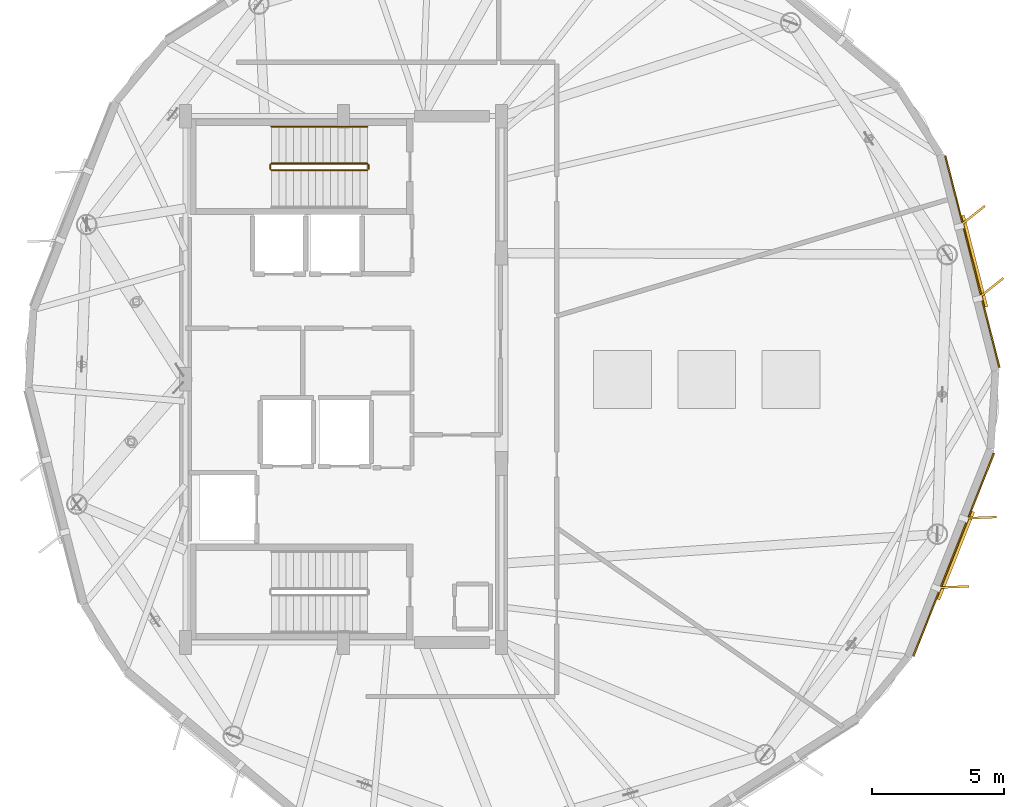
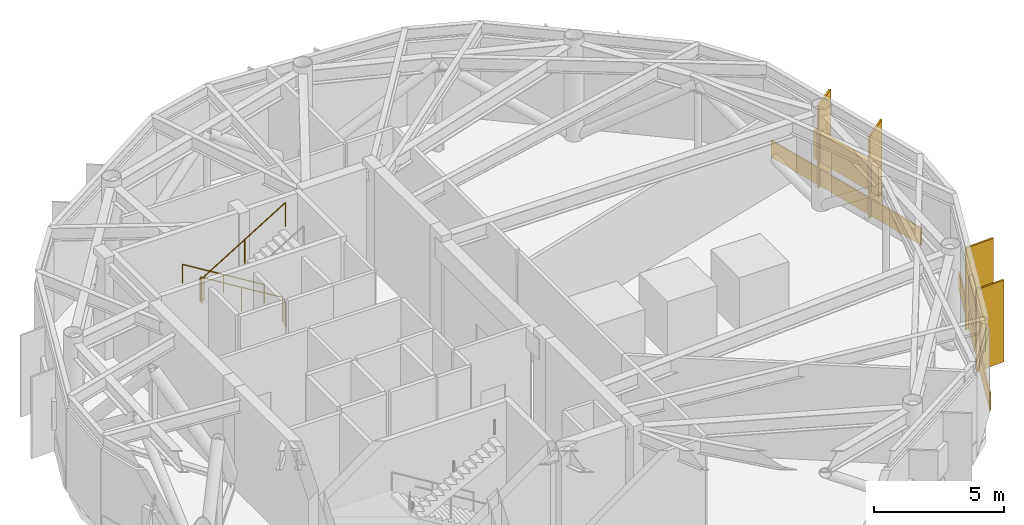
# One storey, part 13 of 14: 6 shading devices, 5 railings, 2 coverings.
"""IFC4 building model written with IfcOpenShell, lengths in metres."""

from ifc_helpers import new_model, si_unit, direction, frame, origin, origin_2d, place, context, subcontext, project, spatial, rectangle, circle, extrude, material, layer, layer_set, type_object, element, save


model = new_model("IFC4")

# Units and contexts
model_context = context("Model", 3, precision=1e-05, world=origin(), true_north=direction((0.0, 1.0)))
body_context = subcontext(model_context, "Body", "Model", "MODEL_VIEW")
ifc_project = project(units=[si_unit("LENGTHUNIT", "METRE"), si_unit("AREAUNIT", "SQUARE_METRE"), si_unit("VOLUMEUNIT", "CUBIC_METRE"), si_unit("PLANEANGLEUNIT", "RADIAN"), si_unit("MASSUNIT", "GRAM", prefix="KILO")], contexts=[model_context])

# Site, building, storey
site_placement = place(None, origin())
site = spatial("IfcSite", under=ifc_project, at=site_placement, CompositionType="ELEMENT")
building_placement = place(site_placement, origin())
building = spatial("IfcBuilding", under=site, at=building_placement, Name="Soratama Intermodal Tower", CompositionType="ELEMENT")
storey_placement = place(building_placement, frame((0.0, 0.0, 283.75)))
storey = spatial("IfcBuildingStorey", under=building, at=storey_placement, Name="L72", CompositionType="ELEMENT", Elevation=283.75)

# Coverings
ifc_material_1 = material(Name="Honed Andean limestone cladding", Category="masonry")
ifc_layer_1 = layer(ifc_material_1, 0.06005859375)
ifc_layer_set_1 = layer_set([ifc_layer_1], Name="Honed Andean limestone cladding")
covering_type = type_object("IfcCoveringType", Name="CV-STONE-CLAD", PredefinedType="CLADDING", material=ifc_layer_set_1)
for number, where, z_axis, x_axis, name in (
    (1, (61.780029296875, 18.3359375, 0.0498046875), (0.0, 0.0, 1.0), (0.369098010319, 0.929390477022, 0.0), "L72 Stone Cladding F08"),
    (2, (62.4921875, 29.4716796875, 0.0498046875), (0.0, 0.0, 1.0), (-0.247675453076, 0.968843057437, 0.0), "L72 Stone Cladding F09"),
):
    element("IfcCovering", number, at=place(storey_placement, frame(where, z_axis=z_axis, x_axis=x_axis)), inside=storey, type_object=covering_type, Name=name, PredefinedType="CLADDING", context=body_context, shape_type="SweptSolid", body=[
        extrude(rectangle(XDim=8.2998046875, YDim=0.06005859375, at=origin_2d()), origin(), (0.0, 0.0, 1.0), 0.800048828125),
    ])

# Railings
ifc_material_2 = material(Name="Painted steel stair guardrail", Category="steel")
railing_type_1 = type_object("IfcRailingType", Name="RL-STAIR-GUARD", PredefinedType="GUARDRAIL", material=ifc_material_2)
railing_1_placement = place(storey_placement, frame((39.5, 33.199951171875, 0.17138671875)))
element("IfcRailing", 3, at=railing_1_placement, inside=storey, type_object=railing_type_1, Name="L72 ST-2 stair guard 1", PredefinedType="GUARDRAIL", context=body_context, shape_type="SweptSolid", body=[
    extrude(circle(Radius=0.02392578125, at=origin_2d()), frame((0.0, 0.0, 1.1259765625), z_axis=(-0.852850264322, 0.0, 0.5221555579), x_axis=(0.0, -1.0, 0.0)), (0.0, 0.0, 1.0), 4.267822265625),
    extrude(circle(Radius=0.02099609375, at=origin_2d()), origin(), (0.0, 0.0, 1.0), 1.101806640625),
    extrude(circle(Radius=0.02099609375, at=origin_2d()), frame((-1.81982421875, 0.0, 1.1142578125)), (0.0, 0.0, 1.0), 1.101806640625),
    extrude(circle(Radius=0.02099609375, at=origin_2d()), frame((-3.639892578125, 0.0, 2.228515625)), (0.0, 0.0, 1.0), 1.101806640625),
])
railing_2_placement = place(storey_placement, frame((35.81005859375, 33.14990234375, 2.39990234375)))
element("IfcRailing", 4, at=railing_2_placement, inside=storey, type_object=railing_type_1, Name="L72 ST-2 stair guard 2", PredefinedType="GUARDRAIL", context=body_context, shape_type="SweptSolid", body=[
    extrude(circle(Radius=0.02392578125, at=origin_2d()), frame((0.0, 0.0, 1.1259765625), z_axis=(0.0, -1.0, 0.0), x_axis=(1.0, 0.0, 0.0)), (0.0, 0.0, 1.0), 0.14990234375),
    extrude(circle(Radius=0.02099609375, at=origin_2d()), origin(), (0.0, 0.0, 1.0), 1.101806640625),
    extrude(circle(Radius=0.02099609375, at=origin_2d()), frame((0.0, -0.14990234375, 0.0)), (0.0, 0.0, 1.0), 1.101806640625),
])
railing_3_placement = place(storey_placement, frame((35.860107421875, 32.949951171875, 2.571533203125)))
element("IfcRailing", 5, at=railing_3_placement, inside=storey, type_object=railing_type_1, Name="L72 ST-2 stair guard 3", PredefinedType="GUARDRAIL", context=body_context, shape_type="SweptSolid", body=[
    extrude(circle(Radius=0.02392578125, at=origin_2d()), frame((0.0, 0.0, 1.1259765625), z_axis=(0.852850264322, 0.0, 0.5221555579), x_axis=(0.0, 1.0, 0.0)), (0.0, 0.0, 1.0), 4.267822265625),
    extrude(circle(Radius=0.02099609375, at=origin_2d()), origin(), (0.0, 0.0, 1.0), 1.101806640625),
    extrude(circle(Radius=0.02099609375, at=origin_2d()), frame((1.81982421875, 0.0, 1.1142578125)), (0.0, 0.0, 1.0), 1.101806640625),
    extrude(circle(Radius=0.02099609375, at=origin_2d()), frame((3.639892578125, 0.0, 2.228515625)), (0.0, 0.0, 1.0), 1.101806640625),
])
railing_4_placement = place(storey_placement, frame((39.550048828125, 33.14990234375, 0.0)))
element("IfcRailing", 6, at=railing_4_placement, inside=storey, type_object=railing_type_1, Name="L72 ST-2 stair guard 4", PredefinedType="GUARDRAIL", context=body_context, shape_type="SweptSolid", body=[
    extrude(circle(Radius=0.02392578125, at=origin_2d()), frame((0.0, 0.0, 1.1259765625), z_axis=(0.0, -1.0, 0.0), x_axis=(1.0, 0.0, 0.0)), (0.0, 0.0, 1.0), 0.14990234375),
    extrude(circle(Radius=0.02099609375, at=origin_2d()), origin(), (0.0, 0.0, 1.0), 1.101806640625),
    extrude(circle(Radius=0.02099609375, at=origin_2d()), frame((0.0, -0.14990234375, 0.0)), (0.0, 0.0, 1.0), 1.101806640625),
])
ifc_material_3 = material(Name="Brushed stainless steel handrail", Category="steel")
railing_type_2 = type_object("IfcRailingType", Name="RL-STAIR-HAND", PredefinedType="HANDRAIL", material=ifc_material_3)
railing_5_placement = place(storey_placement, frame((39.5, 34.60009765625, 0.17138671875)))
element("IfcRailing", 7, at=railing_5_placement, inside=storey, type_object=railing_type_2, Name="L72 ST-2 stair handrail 1", PredefinedType="HANDRAIL", context=body_context, shape_type="SweptSolid", body=[
    extrude(circle(Radius=0.02392578125, at=origin_2d()), frame((0.0, 0.0, 0.8759765625), z_axis=(-0.852850264322, 0.0, 0.5221555579), x_axis=(0.0, -1.0, 0.0)), (0.0, 0.0, 1.0), 4.267822265625),
    extrude(circle(Radius=0.02099609375, at=origin_2d()), origin(), (0.0, 0.0, 1.0), 0.851806640625),
    extrude(circle(Radius=0.02099609375, at=origin_2d()), frame((-1.81982421875, 0.0, 1.1142578125)), (0.0, 0.0, 1.0), 0.851806640625),
    extrude(circle(Radius=0.02099609375, at=origin_2d()), frame((-3.639892578125, 0.0, 2.228515625)), (0.0, 0.0, 1.0), 0.851806640625),
])

# Shading devices
ifc_material_4 = material(Name="Champagne anodised aluminium solar fin", Category="aluminium")
ifc_layer_2 = layer(ifc_material_4, 0.080078125)
ifc_layer_set_2 = layer_set([ifc_layer_2], Name="Champagne anodised aluminium solar fin")
shading_device_type_1 = type_object("IfcShadingDeviceType", Name="SH-FIN-1250", PredefinedType="USERDEFINED", material=ifc_layer_set_2)
for number, where, z_axis, x_axis, name in (
    (8, (61.739013671875, 17.1103515625, 0.02001953125), (0.0, 0.0, 1.0), (0.999166134343, 0.040829351979, 0.0), "L72 Solar Fin F08-1"),
    (9, (62.78466796875, 19.743408203125, 0.02001953125), (0.0, 0.0, 1.0), (0.999166134343, 0.040829351979, 0.0), "L72 Solar Fin F08-2"),
    (10, (63.1796875, 28.4560546875, 0.02001953125), (0.0, 0.0, 1.0), (0.784343491933, 0.620326757977, 0.0), "L72 Solar Fin F09-1"),
    (11, (62.477783203125, 31.200927734375, 0.02001953125), (0.0, 0.0, 1.0), (0.784343491933, 0.620326757977, 0.0), "L72 Solar Fin F09-2"),
):
    element("IfcShadingDevice", number, at=place(storey_placement, frame(where, z_axis=z_axis, x_axis=x_axis)), inside=storey, type_object=shading_device_type_1, Name=name, ObjectType="FIN", PredefinedType="USERDEFINED", context=body_context, shape_type="SweptSolid", body=[
        extrude(rectangle(XDim=1.25, YDim=0.080078125, at=origin_2d()), origin(), (0.0, 0.0, 1.0), 3.85888671875),
    ])
ifc_material_5 = material(Name="Anodised aluminium weather louvre", Category="aluminium")
ifc_layer_3 = layer(ifc_material_5, 0.1201171875)
ifc_layer_set_3 = layer_set([ifc_layer_3], Name="Anodised aluminium weather louvre")
shading_device_type_2 = type_object("IfcShadingDeviceType", Name="SH-LOUVRE-PLANT", PredefinedType="JALOUSIE", material=ifc_layer_set_3)
for number, where, z_axis, x_axis, name in (
    (12, (61.835693359375, 18.31396484375, 1.175048828125), (0.0, 0.0, 1.0), (0.369098010319, 0.929390477022, 0.0), "L72 Acoustic Louvre F08"),
    (13, (62.550537109375, 29.486572265625, 1.175048828125), (0.0, 0.0, 1.0), (-0.247675453076, 0.968843057437, 0.0), "L72 Acoustic Louvre F09"),
):
    element("IfcShadingDevice", number, at=place(storey_placement, frame(where, z_axis=z_axis, x_axis=x_axis)), inside=storey, type_object=shading_device_type_2, Name=name, PredefinedType="JALOUSIE", context=body_context, shape_type="SweptSolid", body=[
        extrude(rectangle(XDim=3.60009765625, YDim=0.179931640625, at=origin_2d()), origin(), (0.0, 0.0, 1.0), 1.35009765625),
    ])

save(model, "model.ifc")
